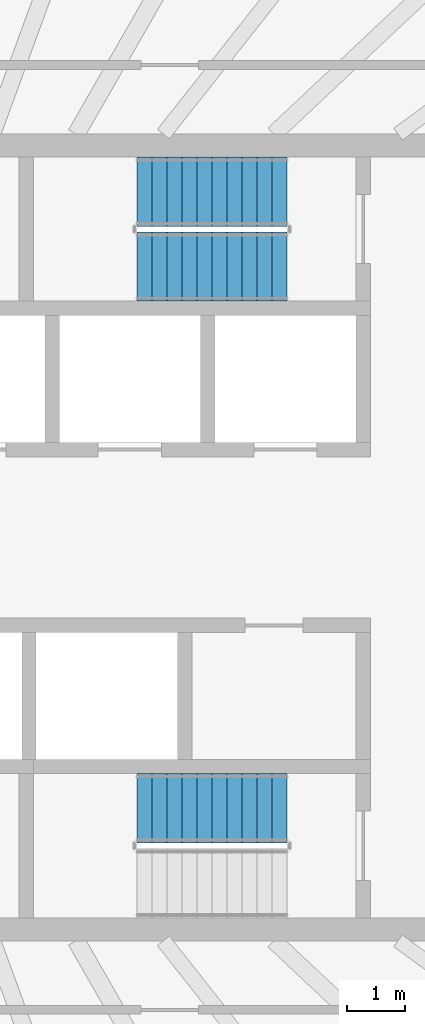
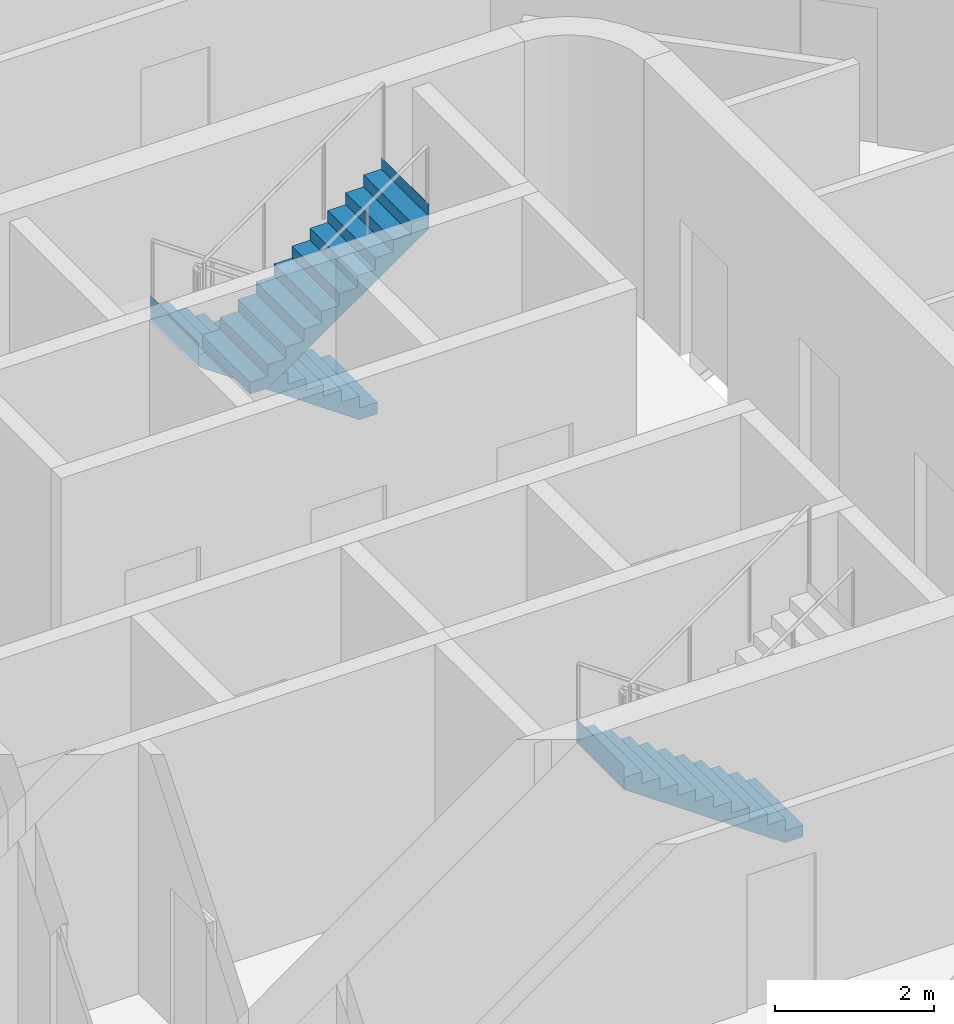
# One storey, part 15 of 21: 3 stair flights, 2 elements without a shape of their own.
"""IFC4 building model written with IfcOpenShell, lengths in metres."""

from ifc_helpers import new_model, si_unit, direction, frame, origin, place, context, subcontext, project, spatial, triangles, material, type_object, element, aggregate, save


model = new_model("IFC4")

# Units and contexts
model_context = context("Model", 3, precision=1e-05, world=origin(), true_north=direction((0.0, 1.0)))
body_context = subcontext(model_context, "Body", "Model", "MODEL_VIEW")
ifc_project = project(units=[si_unit("LENGTHUNIT", "METRE"), si_unit("AREAUNIT", "SQUARE_METRE"), si_unit("VOLUMEUNIT", "CUBIC_METRE"), si_unit("PLANEANGLEUNIT", "RADIAN"), si_unit("MASSUNIT", "GRAM", prefix="KILO")], contexts=[model_context])

# Site, building, storey
site_placement = place(None, origin())
site = spatial("IfcSite", under=ifc_project, at=site_placement, CompositionType="ELEMENT")
building_placement = place(site_placement, origin())
building = spatial("IfcBuilding", under=site, at=building_placement, Name="Sahrelin Media Tower", CompositionType="ELEMENT")
storey_placement = place(building_placement, frame((0.0, 0.0, 304.39990234375)))
storey = spatial("IfcBuildingStorey", under=building, at=storey_placement, Name="L67", CompositionType="ELEMENT", Elevation=304.39990234375)

# Stair, stair flights
ifc_material = material(Name="Concrete C40/50", Category="concrete")
stair_type = type_object("IfcStairType", Name="Exit stair 1200", PredefinedType="HALF_TURN_STAIR", material=ifc_material)
placement = place(storey_placement, origin())
stair_1 = element("IfcStair", 1, at=placement, inside=storey, type_object=stair_type, Name="L67 Exit stair ST3", PredefinedType="HALF_TURN_STAIR")
stair_flight_type = type_object("IfcStairFlightType", Name="Stair flight 1200", PredefinedType="STRAIGHT", material=ifc_material)
stair_flight_1_placement = place(storey_placement, frame((7.675048828125, 6.0, 0.0), z_axis=(0.0, 0.0, 1.0), x_axis=(-1.0, 0.0, 0.0)))
stair_flight_1 = element("IfcStairFlight", 2, at=stair_flight_1_placement, type_object=stair_flight_type, Name="ST3 flight 1", NumberOfRisers=11, NumberOfTreads=10, PredefinedType="STRAIGHT", RiserHeight=0.181818182, TreadLength=0.26, context=body_context, shape_type="Tessellation", body=[
    triangles([(0.261474609375, 0.60009765625, 0.0), (0.261474609375, 0.300048828125, 0.0), (0.261474609375, 0.0, 0.0), (0.261474609375, -0.300048828125, 0.0), (0.261474609375, -0.60009765625, 0.0), (2.60009765625, 0.60009765625, 1.63525390625), (2.60009765625, 0.300048828125, 1.63525390625), (2.60009765625, 0.0, 1.63525390625), (2.60009765625, -0.300048828125, 1.63525390625), (2.60009765625, -0.60009765625, 1.63525390625), (2.60009765625, 0.60009765625, 2.0), (2.60009765625, 0.300048828125, 2.0), (2.60009765625, 0.0, 2.0), (2.60009765625, -0.300048828125, 2.0), (2.60009765625, -0.60009765625, 2.0), (2.597900390625, 0.60009765625, 2.0), (2.597900390625, 0.300048828125, 2.0), (2.597900390625, 0.0, 2.0), (2.597900390625, -0.300048828125, 2.0), (2.597900390625, -0.60009765625, 2.0), (2.597900390625, 0.60009765625, 1.818115234375), (2.597900390625, 0.300048828125, 1.818115234375), (2.597900390625, 0.0, 1.818115234375), (2.597900390625, -0.300048828125, 1.818115234375), (2.597900390625, -0.60009765625, 1.818115234375), (2.340087890625, 0.60009765625, 1.818115234375), (2.340087890625, 0.300048828125, 1.818115234375), (2.340087890625, 0.0, 1.818115234375), (2.340087890625, -0.300048828125, 1.818115234375), (2.340087890625, -0.60009765625, 1.818115234375), (2.340087890625, 0.60009765625, 1.636474609375), (2.340087890625, 0.300048828125, 1.636474609375), (2.340087890625, 0.0, 1.636474609375), (2.340087890625, -0.300048828125, 1.636474609375), (2.340087890625, -0.60009765625, 1.636474609375), (2.080078125, 0.60009765625, 1.636474609375), (2.080078125, 0.300048828125, 1.636474609375), (2.080078125, 0.0, 1.636474609375), (2.080078125, -0.300048828125, 1.636474609375), (2.080078125, -0.60009765625, 1.636474609375), (2.080078125, 0.60009765625, 1.45458984375), (2.080078125, 0.300048828125, 1.45458984375), (2.080078125, 0.0, 1.45458984375), (2.080078125, -0.300048828125, 1.45458984375), (2.080078125, -0.60009765625, 1.45458984375), (1.820068359375, 0.60009765625, 1.45458984375), (1.820068359375, 0.300048828125, 1.45458984375), (1.820068359375, 0.0, 1.45458984375), (1.820068359375, -0.300048828125, 1.45458984375), (1.820068359375, -0.60009765625, 1.45458984375), (1.820068359375, 0.60009765625, 1.272705078125), (1.820068359375, 0.300048828125, 1.272705078125), (1.820068359375, 0.0, 1.272705078125), (1.820068359375, -0.300048828125, 1.272705078125), (1.820068359375, -0.60009765625, 1.272705078125), (1.56005859375, 0.60009765625, 1.272705078125), (1.56005859375, 0.300048828125, 1.272705078125), (1.56005859375, 0.0, 1.272705078125), (1.56005859375, -0.300048828125, 1.272705078125), (1.56005859375, -0.60009765625, 1.272705078125), (1.56005859375, 0.60009765625, 1.0908203125), (1.56005859375, 0.300048828125, 1.0908203125), (1.56005859375, 0.0, 1.0908203125), (1.56005859375, -0.300048828125, 1.0908203125), (1.56005859375, -0.60009765625, 1.0908203125), (1.300048828125, 0.60009765625, 1.0908203125), (1.300048828125, 0.300048828125, 1.0908203125), (1.300048828125, 0.0, 1.0908203125), (1.300048828125, -0.300048828125, 1.0908203125), (1.300048828125, -0.60009765625, 1.0908203125), (1.300048828125, 0.60009765625, 0.9091796875), (1.300048828125, 0.300048828125, 0.9091796875), (1.300048828125, 0.0, 0.9091796875), (1.300048828125, -0.300048828125, 0.9091796875), (1.300048828125, -0.60009765625, 0.9091796875), (1.0400390625, 0.60009765625, 0.9091796875), (1.0400390625, 0.300048828125, 0.9091796875), (1.0400390625, 0.0, 0.9091796875), (1.0400390625, -0.300048828125, 0.9091796875), (1.0400390625, -0.60009765625, 0.9091796875), (1.0400390625, 0.60009765625, 0.727294921875), (1.0400390625, 0.300048828125, 0.727294921875), (1.0400390625, 0.0, 0.727294921875), (1.0400390625, -0.300048828125, 0.727294921875), (1.0400390625, -0.60009765625, 0.727294921875), (0.780029296875, 0.60009765625, 0.727294921875), (0.780029296875, 0.300048828125, 0.727294921875), (0.780029296875, 0.0, 0.727294921875), (0.780029296875, -0.300048828125, 0.727294921875), (0.780029296875, -0.60009765625, 0.727294921875), (0.780029296875, 0.60009765625, 0.54541015625), (0.780029296875, 0.300048828125, 0.54541015625), (0.780029296875, 0.0, 0.54541015625), (0.780029296875, -0.300048828125, 0.54541015625), (0.780029296875, -0.60009765625, 0.54541015625), (0.52001953125, 0.60009765625, 0.54541015625), (0.52001953125, 0.300048828125, 0.54541015625), (0.52001953125, 0.0, 0.54541015625), (0.52001953125, -0.300048828125, 0.54541015625), (0.52001953125, -0.60009765625, 0.54541015625), (0.52001953125, 0.60009765625, 0.363525390625), (0.52001953125, 0.300048828125, 0.363525390625), (0.52001953125, 0.0, 0.363525390625), (0.52001953125, -0.300048828125, 0.363525390625), (0.52001953125, -0.60009765625, 0.363525390625), (0.260009765625, 0.60009765625, 0.363525390625), (0.260009765625, 0.300048828125, 0.363525390625), (0.260009765625, 0.0, 0.363525390625), (0.260009765625, -0.300048828125, 0.363525390625), (0.260009765625, -0.60009765625, 0.363525390625), (0.260009765625, 0.60009765625, 0.181884765625), (0.260009765625, 0.300048828125, 0.181884765625), (0.260009765625, 0.0, 0.181884765625), (0.260009765625, -0.300048828125, 0.181884765625), (0.260009765625, -0.60009765625, 0.181884765625), (0.0, 0.60009765625, 0.181884765625), (0.0, 0.300048828125, 0.181884765625), (0.0, 0.0, 0.181884765625), (0.0, -0.300048828125, 0.181884765625), (0.0, -0.60009765625, 0.181884765625), (0.0, 0.60009765625, 0.0), (0.0, 0.300048828125, 0.0), (0.0, 0.0, 0.0), (0.0, -0.300048828125, 0.0), (0.0, -0.60009765625, 0.0)], [[1, 6, 7], [1, 7, 2], [2, 7, 8], [2, 8, 3], [3, 8, 9], [3, 9, 4], [4, 9, 10], [4, 10, 5], [6, 11, 12], [6, 12, 7], [7, 12, 13], [7, 13, 8], [8, 13, 14], [8, 14, 9], [9, 14, 15], [9, 15, 10], [11, 16, 17], [11, 17, 12], [12, 17, 18], [12, 18, 13], [13, 18, 19], [13, 19, 14], [14, 19, 20], [14, 20, 15], [16, 21, 22], [16, 22, 17], [17, 22, 23], [17, 23, 18], [18, 23, 24], [18, 24, 19], [19, 24, 25], [19, 25, 20], [21, 26, 27], [21, 27, 22], [22, 27, 28], [22, 28, 23], [23, 28, 29], [23, 29, 24], [24, 29, 30], [24, 30, 25], [26, 31, 32], [26, 32, 27], [27, 32, 33], [27, 33, 28], [28, 33, 34], [28, 34, 29], [29, 34, 35], [29, 35, 30], [31, 36, 37], [31, 37, 32], [32, 37, 38], [32, 38, 33], [33, 38, 39], [33, 39, 34], [34, 39, 40], [34, 40, 35], [36, 41, 42], [36, 42, 37], [37, 42, 43], [37, 43, 38], [38, 43, 44], [38, 44, 39], [39, 44, 45], [39, 45, 40], [41, 46, 47], [41, 47, 42], [42, 47, 48], [42, 48, 43], [43, 48, 49], [43, 49, 44], [44, 49, 50], [44, 50, 45], [46, 51, 52], [46, 52, 47], [47, 52, 53], [47, 53, 48], [48, 53, 54], [48, 54, 49], [49, 54, 55], [49, 55, 50], [51, 56, 57], [51, 57, 52], [52, 57, 58], [52, 58, 53], [53, 58, 59], [53, 59, 54], [54, 59, 60], [54, 60, 55], [56, 61, 62], [56, 62, 57], [57, 62, 63], [57, 63, 58], [58, 63, 64], [58, 64, 59], [59, 64, 65], [59, 65, 60], [61, 66, 67], [61, 67, 62], [62, 67, 68], [62, 68, 63], [63, 68, 69], [63, 69, 64], [64, 69, 70], [64, 70, 65], [66, 71, 72], [66, 72, 67], [67, 72, 73], [67, 73, 68], [68, 73, 74], [68, 74, 69], [69, 74, 75], [69, 75, 70], [71, 76, 77], [71, 77, 72], [72, 77, 78], [72, 78, 73], [73, 78, 79], [73, 79, 74], [74, 79, 80], [74, 80, 75], [76, 81, 82], [76, 82, 77], [77, 82, 83], [77, 83, 78], [78, 83, 84], [78, 84, 79], [79, 84, 85], [79, 85, 80], [81, 86, 87], [81, 87, 82], [82, 87, 88], [82, 88, 83], [83, 88, 89], [83, 89, 84], [84, 89, 90], [84, 90, 85], [86, 91, 92], [86, 92, 87], [87, 92, 93], [87, 93, 88], [88, 93, 94], [88, 94, 89], [89, 94, 95], [89, 95, 90], [91, 96, 97], [91, 97, 92], [92, 97, 98], [92, 98, 93], [93, 98, 99], [93, 99, 94], [94, 99, 100], [94, 100, 95], [96, 101, 102], [96, 102, 97], [97, 102, 103], [97, 103, 98], [98, 103, 104], [98, 104, 99], [99, 104, 105], [99, 105, 100], [101, 106, 107], [101, 107, 102], [102, 107, 108], [102, 108, 103], [103, 108, 109], [103, 109, 104], [104, 109, 110], [104, 110, 105], [106, 111, 112], [106, 112, 107], [107, 112, 113], [107, 113, 108], [108, 113, 114], [108, 114, 109], [109, 114, 115], [109, 115, 110], [111, 116, 117], [111, 117, 112], [112, 117, 118], [112, 118, 113], [113, 118, 119], [113, 119, 114], [114, 119, 120], [114, 120, 115], [116, 121, 122], [116, 122, 117], [117, 122, 123], [117, 123, 118], [118, 123, 124], [118, 124, 119], [119, 124, 125], [119, 125, 120], [121, 1, 2], [121, 2, 122], [122, 2, 3], [122, 3, 123], [123, 3, 4], [123, 4, 124], [124, 4, 5], [124, 5, 125], [115, 120, 125], [111, 121, 116], [115, 105, 110], [111, 106, 101], [105, 95, 100], [101, 96, 91], [95, 85, 90], [91, 86, 81], [85, 75, 80], [81, 76, 71], [75, 65, 70], [71, 66, 61], [65, 55, 60], [61, 56, 51], [55, 45, 50], [51, 46, 41], [45, 35, 40], [41, 36, 31], [35, 25, 30], [31, 26, 21], [25, 15, 20], [21, 16, 11], [125, 5, 115], [121, 111, 1], [25, 10, 15], [21, 11, 6], [105, 115, 5], [101, 1, 111], [35, 10, 25], [31, 21, 6], [95, 105, 5], [91, 1, 101], [45, 10, 35], [41, 31, 6], [85, 95, 5], [81, 1, 91], [55, 10, 45], [51, 41, 6], [75, 85, 5], [71, 1, 81], [65, 10, 55], [61, 51, 6], [5, 10, 75], [1, 71, 6], [75, 10, 65], [71, 61, 6]], closed=True),
])
stair_flight_2_placement = place(storey_placement, frame((5.074951171875, 4.699951171875, 2.0), z_axis=(0.0, 0.0, 1.0), x_axis=(1.0, 0.0, 0.0)))
stair_flight_2 = element("IfcStairFlight", 3, at=stair_flight_2_placement, type_object=stair_flight_type, Name="ST3 flight 2", NumberOfRisers=11, NumberOfTreads=10, PredefinedType="STRAIGHT", RiserHeight=0.181818182, TreadLength=0.26, context=body_context, shape_type="Tessellation", body=[
    triangles([(0.261474609375, 0.60009765625, 0.0), (0.261474609375, 0.300048828125, 0.0), (0.261474609375, 0.0, 0.0), (0.261474609375, -0.300048828125, 0.0), (0.261474609375, -0.60009765625, 0.0), (2.60009765625, 0.60009765625, 1.63525390625), (2.60009765625, 0.300048828125, 1.63525390625), (2.60009765625, 0.0, 1.63525390625), (2.60009765625, -0.300048828125, 1.63525390625), (2.60009765625, -0.60009765625, 1.63525390625), (2.60009765625, 0.60009765625, 2.0), (2.60009765625, 0.300048828125, 2.0), (2.60009765625, 0.0, 2.0), (2.60009765625, -0.300048828125, 2.0), (2.60009765625, -0.60009765625, 2.0), (2.597900390625, 0.60009765625, 2.0), (2.597900390625, 0.300048828125, 2.0), (2.597900390625, 0.0, 2.0), (2.597900390625, -0.300048828125, 2.0), (2.597900390625, -0.60009765625, 2.0), (2.597900390625, 0.60009765625, 1.818115234375), (2.597900390625, 0.300048828125, 1.818115234375), (2.597900390625, 0.0, 1.818115234375), (2.597900390625, -0.300048828125, 1.818115234375), (2.597900390625, -0.60009765625, 1.818115234375), (2.340087890625, 0.60009765625, 1.818115234375), (2.340087890625, 0.300048828125, 1.818115234375), (2.340087890625, 0.0, 1.818115234375), (2.340087890625, -0.300048828125, 1.818115234375), (2.340087890625, -0.60009765625, 1.818115234375), (2.340087890625, 0.60009765625, 1.636474609375), (2.340087890625, 0.300048828125, 1.636474609375), (2.340087890625, 0.0, 1.636474609375), (2.340087890625, -0.300048828125, 1.636474609375), (2.340087890625, -0.60009765625, 1.636474609375), (2.080078125, 0.60009765625, 1.636474609375), (2.080078125, 0.300048828125, 1.636474609375), (2.080078125, 0.0, 1.636474609375), (2.080078125, -0.300048828125, 1.636474609375), (2.080078125, -0.60009765625, 1.636474609375), (2.080078125, 0.60009765625, 1.45458984375), (2.080078125, 0.300048828125, 1.45458984375), (2.080078125, 0.0, 1.45458984375), (2.080078125, -0.300048828125, 1.45458984375), (2.080078125, -0.60009765625, 1.45458984375), (1.820068359375, 0.60009765625, 1.45458984375), (1.820068359375, 0.300048828125, 1.45458984375), (1.820068359375, 0.0, 1.45458984375), (1.820068359375, -0.300048828125, 1.45458984375), (1.820068359375, -0.60009765625, 1.45458984375), (1.820068359375, 0.60009765625, 1.272705078125), (1.820068359375, 0.300048828125, 1.272705078125), (1.820068359375, 0.0, 1.272705078125), (1.820068359375, -0.300048828125, 1.272705078125), (1.820068359375, -0.60009765625, 1.272705078125), (1.56005859375, 0.60009765625, 1.272705078125), (1.56005859375, 0.300048828125, 1.272705078125), (1.56005859375, 0.0, 1.272705078125), (1.56005859375, -0.300048828125, 1.272705078125), (1.56005859375, -0.60009765625, 1.272705078125), (1.56005859375, 0.60009765625, 1.0908203125), (1.56005859375, 0.300048828125, 1.0908203125), (1.56005859375, 0.0, 1.0908203125), (1.56005859375, -0.300048828125, 1.0908203125), (1.56005859375, -0.60009765625, 1.0908203125), (1.300048828125, 0.60009765625, 1.0908203125), (1.300048828125, 0.300048828125, 1.0908203125), (1.300048828125, 0.0, 1.0908203125), (1.300048828125, -0.300048828125, 1.0908203125), (1.300048828125, -0.60009765625, 1.0908203125), (1.300048828125, 0.60009765625, 0.9091796875), (1.300048828125, 0.300048828125, 0.9091796875), (1.300048828125, 0.0, 0.9091796875), (1.300048828125, -0.300048828125, 0.9091796875), (1.300048828125, -0.60009765625, 0.9091796875), (1.0400390625, 0.60009765625, 0.9091796875), (1.0400390625, 0.300048828125, 0.9091796875), (1.0400390625, 0.0, 0.9091796875), (1.0400390625, -0.300048828125, 0.9091796875), (1.0400390625, -0.60009765625, 0.9091796875), (1.0400390625, 0.60009765625, 0.727294921875), (1.0400390625, 0.300048828125, 0.727294921875), (1.0400390625, 0.0, 0.727294921875), (1.0400390625, -0.300048828125, 0.727294921875), (1.0400390625, -0.60009765625, 0.727294921875), (0.780029296875, 0.60009765625, 0.727294921875), (0.780029296875, 0.300048828125, 0.727294921875), (0.780029296875, 0.0, 0.727294921875), (0.780029296875, -0.300048828125, 0.727294921875), (0.780029296875, -0.60009765625, 0.727294921875), (0.780029296875, 0.60009765625, 0.54541015625), (0.780029296875, 0.300048828125, 0.54541015625), (0.780029296875, 0.0, 0.54541015625), (0.780029296875, -0.300048828125, 0.54541015625), (0.780029296875, -0.60009765625, 0.54541015625), (0.52001953125, 0.60009765625, 0.54541015625), (0.52001953125, 0.300048828125, 0.54541015625), (0.52001953125, 0.0, 0.54541015625), (0.52001953125, -0.300048828125, 0.54541015625), (0.52001953125, -0.60009765625, 0.54541015625), (0.52001953125, 0.60009765625, 0.363525390625), (0.52001953125, 0.300048828125, 0.363525390625), (0.52001953125, 0.0, 0.363525390625), (0.52001953125, -0.300048828125, 0.363525390625), (0.52001953125, -0.60009765625, 0.363525390625), (0.260009765625, 0.60009765625, 0.363525390625), (0.260009765625, 0.300048828125, 0.363525390625), (0.260009765625, 0.0, 0.363525390625), (0.260009765625, -0.300048828125, 0.363525390625), (0.260009765625, -0.60009765625, 0.363525390625), (0.260009765625, 0.60009765625, 0.181884765625), (0.260009765625, 0.300048828125, 0.181884765625), (0.260009765625, 0.0, 0.181884765625), (0.260009765625, -0.300048828125, 0.181884765625), (0.260009765625, -0.60009765625, 0.181884765625), (0.0, 0.60009765625, 0.181884765625), (0.0, 0.300048828125, 0.181884765625), (0.0, 0.0, 0.181884765625), (0.0, -0.300048828125, 0.181884765625), (0.0, -0.60009765625, 0.181884765625), (0.0, 0.60009765625, 0.0), (0.0, 0.300048828125, 0.0), (0.0, 0.0, 0.0), (0.0, -0.300048828125, 0.0), (0.0, -0.60009765625, 0.0)], [[1, 6, 7], [1, 7, 2], [2, 7, 8], [2, 8, 3], [3, 8, 9], [3, 9, 4], [4, 9, 10], [4, 10, 5], [6, 11, 12], [6, 12, 7], [7, 12, 13], [7, 13, 8], [8, 13, 14], [8, 14, 9], [9, 14, 15], [9, 15, 10], [11, 16, 17], [11, 17, 12], [12, 17, 18], [12, 18, 13], [13, 18, 19], [13, 19, 14], [14, 19, 20], [14, 20, 15], [16, 21, 22], [16, 22, 17], [17, 22, 23], [17, 23, 18], [18, 23, 24], [18, 24, 19], [19, 24, 25], [19, 25, 20], [21, 26, 27], [21, 27, 22], [22, 27, 28], [22, 28, 23], [23, 28, 29], [23, 29, 24], [24, 29, 30], [24, 30, 25], [26, 31, 32], [26, 32, 27], [27, 32, 33], [27, 33, 28], [28, 33, 34], [28, 34, 29], [29, 34, 35], [29, 35, 30], [31, 36, 37], [31, 37, 32], [32, 37, 38], [32, 38, 33], [33, 38, 39], [33, 39, 34], [34, 39, 40], [34, 40, 35], [36, 41, 42], [36, 42, 37], [37, 42, 43], [37, 43, 38], [38, 43, 44], [38, 44, 39], [39, 44, 45], [39, 45, 40], [41, 46, 47], [41, 47, 42], [42, 47, 48], [42, 48, 43], [43, 48, 49], [43, 49, 44], [44, 49, 50], [44, 50, 45], [46, 51, 52], [46, 52, 47], [47, 52, 53], [47, 53, 48], [48, 53, 54], [48, 54, 49], [49, 54, 55], [49, 55, 50], [51, 56, 57], [51, 57, 52], [52, 57, 58], [52, 58, 53], [53, 58, 59], [53, 59, 54], [54, 59, 60], [54, 60, 55], [56, 61, 62], [56, 62, 57], [57, 62, 63], [57, 63, 58], [58, 63, 64], [58, 64, 59], [59, 64, 65], [59, 65, 60], [61, 66, 67], [61, 67, 62], [62, 67, 68], [62, 68, 63], [63, 68, 69], [63, 69, 64], [64, 69, 70], [64, 70, 65], [66, 71, 72], [66, 72, 67], [67, 72, 73], [67, 73, 68], [68, 73, 74], [68, 74, 69], [69, 74, 75], [69, 75, 70], [71, 76, 77], [71, 77, 72], [72, 77, 78], [72, 78, 73], [73, 78, 79], [73, 79, 74], [74, 79, 80], [74, 80, 75], [76, 81, 82], [76, 82, 77], [77, 82, 83], [77, 83, 78], [78, 83, 84], [78, 84, 79], [79, 84, 85], [79, 85, 80], [81, 86, 87], [81, 87, 82], [82, 87, 88], [82, 88, 83], [83, 88, 89], [83, 89, 84], [84, 89, 90], [84, 90, 85], [86, 91, 92], [86, 92, 87], [87, 92, 93], [87, 93, 88], [88, 93, 94], [88, 94, 89], [89, 94, 95], [89, 95, 90], [91, 96, 97], [91, 97, 92], [92, 97, 98], [92, 98, 93], [93, 98, 99], [93, 99, 94], [94, 99, 100], [94, 100, 95], [96, 101, 102], [96, 102, 97], [97, 102, 103], [97, 103, 98], [98, 103, 104], [98, 104, 99], [99, 104, 105], [99, 105, 100], [101, 106, 107], [101, 107, 102], [102, 107, 108], [102, 108, 103], [103, 108, 109], [103, 109, 104], [104, 109, 110], [104, 110, 105], [106, 111, 112], [106, 112, 107], [107, 112, 113], [107, 113, 108], [108, 113, 114], [108, 114, 109], [109, 114, 115], [109, 115, 110], [111, 116, 117], [111, 117, 112], [112, 117, 118], [112, 118, 113], [113, 118, 119], [113, 119, 114], [114, 119, 120], [114, 120, 115], [116, 121, 122], [116, 122, 117], [117, 122, 123], [117, 123, 118], [118, 123, 124], [118, 124, 119], [119, 124, 125], [119, 125, 120], [121, 1, 2], [121, 2, 122], [122, 2, 3], [122, 3, 123], [123, 3, 4], [123, 4, 124], [124, 4, 5], [124, 5, 125], [115, 120, 125], [111, 121, 116], [115, 105, 110], [111, 106, 101], [105, 95, 100], [101, 96, 91], [95, 85, 90], [91, 86, 81], [85, 75, 80], [81, 76, 71], [75, 65, 70], [71, 66, 61], [65, 55, 60], [61, 56, 51], [55, 45, 50], [51, 46, 41], [45, 35, 40], [41, 36, 31], [35, 25, 30], [31, 26, 21], [25, 15, 20], [21, 16, 11], [125, 5, 115], [121, 111, 1], [25, 10, 15], [21, 11, 6], [105, 115, 5], [101, 1, 111], [35, 10, 25], [31, 21, 6], [95, 105, 5], [91, 1, 101], [45, 10, 35], [41, 31, 6], [85, 95, 5], [81, 1, 91], [55, 10, 45], [51, 41, 6], [75, 85, 5], [71, 1, 81], [65, 10, 55], [61, 51, 6], [5, 10, 75], [1, 71, 6], [75, 10, 65], [71, 61, 6]], closed=True),
])
aggregate(stair_1, [stair_flight_1, stair_flight_2])

# Stair, stair flight
stair_2 = element("IfcStair", 4, at=placement, inside=storey, type_object=stair_type, Name="L67 Exit stair ST2", PredefinedType="HALF_TURN_STAIR")
stair_flight_3_placement = place(storey_placement, frame((7.675048828125, -4.699951171875, 0.0), z_axis=(0.0, 0.0, 1.0), x_axis=(-1.0, 0.0, 0.0)))
stair_flight_3 = element("IfcStairFlight", 5, at=stair_flight_3_placement, type_object=stair_flight_type, Name="ST2 flight 1", NumberOfRisers=11, NumberOfTreads=10, PredefinedType="STRAIGHT", RiserHeight=0.181818182, TreadLength=0.26, context=body_context, shape_type="Tessellation", body=[
    triangles([(0.261474609375, 0.60009765625, 0.0), (0.261474609375, 0.300048828125, 0.0), (0.261474609375, 0.0, 0.0), (0.261474609375, -0.300048828125, 0.0), (0.261474609375, -0.60009765625, 0.0), (2.60009765625, 0.60009765625, 1.63525390625), (2.60009765625, 0.300048828125, 1.63525390625), (2.60009765625, 0.0, 1.63525390625), (2.60009765625, -0.300048828125, 1.63525390625), (2.60009765625, -0.60009765625, 1.63525390625), (2.60009765625, 0.60009765625, 2.0), (2.60009765625, 0.300048828125, 2.0), (2.60009765625, 0.0, 2.0), (2.60009765625, -0.300048828125, 2.0), (2.60009765625, -0.60009765625, 2.0), (2.597900390625, 0.60009765625, 2.0), (2.597900390625, 0.300048828125, 2.0), (2.597900390625, 0.0, 2.0), (2.597900390625, -0.300048828125, 2.0), (2.597900390625, -0.60009765625, 2.0), (2.597900390625, 0.60009765625, 1.818115234375), (2.597900390625, 0.300048828125, 1.818115234375), (2.597900390625, 0.0, 1.818115234375), (2.597900390625, -0.300048828125, 1.818115234375), (2.597900390625, -0.60009765625, 1.818115234375), (2.340087890625, 0.60009765625, 1.818115234375), (2.340087890625, 0.300048828125, 1.818115234375), (2.340087890625, 0.0, 1.818115234375), (2.340087890625, -0.300048828125, 1.818115234375), (2.340087890625, -0.60009765625, 1.818115234375), (2.340087890625, 0.60009765625, 1.636474609375), (2.340087890625, 0.300048828125, 1.636474609375), (2.340087890625, 0.0, 1.636474609375), (2.340087890625, -0.300048828125, 1.636474609375), (2.340087890625, -0.60009765625, 1.636474609375), (2.080078125, 0.60009765625, 1.636474609375), (2.080078125, 0.300048828125, 1.636474609375), (2.080078125, 0.0, 1.636474609375), (2.080078125, -0.300048828125, 1.636474609375), (2.080078125, -0.60009765625, 1.636474609375), (2.080078125, 0.60009765625, 1.45458984375), (2.080078125, 0.300048828125, 1.45458984375), (2.080078125, 0.0, 1.45458984375), (2.080078125, -0.300048828125, 1.45458984375), (2.080078125, -0.60009765625, 1.45458984375), (1.820068359375, 0.60009765625, 1.45458984375), (1.820068359375, 0.300048828125, 1.45458984375), (1.820068359375, 0.0, 1.45458984375), (1.820068359375, -0.300048828125, 1.45458984375), (1.820068359375, -0.60009765625, 1.45458984375), (1.820068359375, 0.60009765625, 1.272705078125), (1.820068359375, 0.300048828125, 1.272705078125), (1.820068359375, 0.0, 1.272705078125), (1.820068359375, -0.300048828125, 1.272705078125), (1.820068359375, -0.60009765625, 1.272705078125), (1.56005859375, 0.60009765625, 1.272705078125), (1.56005859375, 0.300048828125, 1.272705078125), (1.56005859375, 0.0, 1.272705078125), (1.56005859375, -0.300048828125, 1.272705078125), (1.56005859375, -0.60009765625, 1.272705078125), (1.56005859375, 0.60009765625, 1.0908203125), (1.56005859375, 0.300048828125, 1.0908203125), (1.56005859375, 0.0, 1.0908203125), (1.56005859375, -0.300048828125, 1.0908203125), (1.56005859375, -0.60009765625, 1.0908203125), (1.300048828125, 0.60009765625, 1.0908203125), (1.300048828125, 0.300048828125, 1.0908203125), (1.300048828125, 0.0, 1.0908203125), (1.300048828125, -0.300048828125, 1.0908203125), (1.300048828125, -0.60009765625, 1.0908203125), (1.300048828125, 0.60009765625, 0.9091796875), (1.300048828125, 0.300048828125, 0.9091796875), (1.300048828125, 0.0, 0.9091796875), (1.300048828125, -0.300048828125, 0.9091796875), (1.300048828125, -0.60009765625, 0.9091796875), (1.0400390625, 0.60009765625, 0.9091796875), (1.0400390625, 0.300048828125, 0.9091796875), (1.0400390625, 0.0, 0.9091796875), (1.0400390625, -0.300048828125, 0.9091796875), (1.0400390625, -0.60009765625, 0.9091796875), (1.0400390625, 0.60009765625, 0.727294921875), (1.0400390625, 0.300048828125, 0.727294921875), (1.0400390625, 0.0, 0.727294921875), (1.0400390625, -0.300048828125, 0.727294921875), (1.0400390625, -0.60009765625, 0.727294921875), (0.780029296875, 0.60009765625, 0.727294921875), (0.780029296875, 0.300048828125, 0.727294921875), (0.780029296875, 0.0, 0.727294921875), (0.780029296875, -0.300048828125, 0.727294921875), (0.780029296875, -0.60009765625, 0.727294921875), (0.780029296875, 0.60009765625, 0.54541015625), (0.780029296875, 0.300048828125, 0.54541015625), (0.780029296875, 0.0, 0.54541015625), (0.780029296875, -0.300048828125, 0.54541015625), (0.780029296875, -0.60009765625, 0.54541015625), (0.52001953125, 0.60009765625, 0.54541015625), (0.52001953125, 0.300048828125, 0.54541015625), (0.52001953125, 0.0, 0.54541015625), (0.52001953125, -0.300048828125, 0.54541015625), (0.52001953125, -0.60009765625, 0.54541015625), (0.52001953125, 0.60009765625, 0.363525390625), (0.52001953125, 0.300048828125, 0.363525390625), (0.52001953125, 0.0, 0.363525390625), (0.52001953125, -0.300048828125, 0.363525390625), (0.52001953125, -0.60009765625, 0.363525390625), (0.260009765625, 0.60009765625, 0.363525390625), (0.260009765625, 0.300048828125, 0.363525390625), (0.260009765625, 0.0, 0.363525390625), (0.260009765625, -0.300048828125, 0.363525390625), (0.260009765625, -0.60009765625, 0.363525390625), (0.260009765625, 0.60009765625, 0.181884765625), (0.260009765625, 0.300048828125, 0.181884765625), (0.260009765625, 0.0, 0.181884765625), (0.260009765625, -0.300048828125, 0.181884765625), (0.260009765625, -0.60009765625, 0.181884765625), (0.0, 0.60009765625, 0.181884765625), (0.0, 0.300048828125, 0.181884765625), (0.0, 0.0, 0.181884765625), (0.0, -0.300048828125, 0.181884765625), (0.0, -0.60009765625, 0.181884765625), (0.0, 0.60009765625, 0.0), (0.0, 0.300048828125, 0.0), (0.0, 0.0, 0.0), (0.0, -0.300048828125, 0.0), (0.0, -0.60009765625, 0.0)], [[1, 6, 7], [1, 7, 2], [2, 7, 8], [2, 8, 3], [3, 8, 9], [3, 9, 4], [4, 9, 10], [4, 10, 5], [6, 11, 12], [6, 12, 7], [7, 12, 13], [7, 13, 8], [8, 13, 14], [8, 14, 9], [9, 14, 15], [9, 15, 10], [11, 16, 17], [11, 17, 12], [12, 17, 18], [12, 18, 13], [13, 18, 19], [13, 19, 14], [14, 19, 20], [14, 20, 15], [16, 21, 22], [16, 22, 17], [17, 22, 23], [17, 23, 18], [18, 23, 24], [18, 24, 19], [19, 24, 25], [19, 25, 20], [21, 26, 27], [21, 27, 22], [22, 27, 28], [22, 28, 23], [23, 28, 29], [23, 29, 24], [24, 29, 30], [24, 30, 25], [26, 31, 32], [26, 32, 27], [27, 32, 33], [27, 33, 28], [28, 33, 34], [28, 34, 29], [29, 34, 35], [29, 35, 30], [31, 36, 37], [31, 37, 32], [32, 37, 38], [32, 38, 33], [33, 38, 39], [33, 39, 34], [34, 39, 40], [34, 40, 35], [36, 41, 42], [36, 42, 37], [37, 42, 43], [37, 43, 38], [38, 43, 44], [38, 44, 39], [39, 44, 45], [39, 45, 40], [41, 46, 47], [41, 47, 42], [42, 47, 48], [42, 48, 43], [43, 48, 49], [43, 49, 44], [44, 49, 50], [44, 50, 45], [46, 51, 52], [46, 52, 47], [47, 52, 53], [47, 53, 48], [48, 53, 54], [48, 54, 49], [49, 54, 55], [49, 55, 50], [51, 56, 57], [51, 57, 52], [52, 57, 58], [52, 58, 53], [53, 58, 59], [53, 59, 54], [54, 59, 60], [54, 60, 55], [56, 61, 62], [56, 62, 57], [57, 62, 63], [57, 63, 58], [58, 63, 64], [58, 64, 59], [59, 64, 65], [59, 65, 60], [61, 66, 67], [61, 67, 62], [62, 67, 68], [62, 68, 63], [63, 68, 69], [63, 69, 64], [64, 69, 70], [64, 70, 65], [66, 71, 72], [66, 72, 67], [67, 72, 73], [67, 73, 68], [68, 73, 74], [68, 74, 69], [69, 74, 75], [69, 75, 70], [71, 76, 77], [71, 77, 72], [72, 77, 78], [72, 78, 73], [73, 78, 79], [73, 79, 74], [74, 79, 80], [74, 80, 75], [76, 81, 82], [76, 82, 77], [77, 82, 83], [77, 83, 78], [78, 83, 84], [78, 84, 79], [79, 84, 85], [79, 85, 80], [81, 86, 87], [81, 87, 82], [82, 87, 88], [82, 88, 83], [83, 88, 89], [83, 89, 84], [84, 89, 90], [84, 90, 85], [86, 91, 92], [86, 92, 87], [87, 92, 93], [87, 93, 88], [88, 93, 94], [88, 94, 89], [89, 94, 95], [89, 95, 90], [91, 96, 97], [91, 97, 92], [92, 97, 98], [92, 98, 93], [93, 98, 99], [93, 99, 94], [94, 99, 100], [94, 100, 95], [96, 101, 102], [96, 102, 97], [97, 102, 103], [97, 103, 98], [98, 103, 104], [98, 104, 99], [99, 104, 105], [99, 105, 100], [101, 106, 107], [101, 107, 102], [102, 107, 108], [102, 108, 103], [103, 108, 109], [103, 109, 104], [104, 109, 110], [104, 110, 105], [106, 111, 112], [106, 112, 107], [107, 112, 113], [107, 113, 108], [108, 113, 114], [108, 114, 109], [109, 114, 115], [109, 115, 110], [111, 116, 117], [111, 117, 112], [112, 117, 118], [112, 118, 113], [113, 118, 119], [113, 119, 114], [114, 119, 120], [114, 120, 115], [116, 121, 122], [116, 122, 117], [117, 122, 123], [117, 123, 118], [118, 123, 124], [118, 124, 119], [119, 124, 125], [119, 125, 120], [121, 1, 2], [121, 2, 122], [122, 2, 3], [122, 3, 123], [123, 3, 4], [123, 4, 124], [124, 4, 5], [124, 5, 125], [115, 120, 125], [111, 121, 116], [115, 105, 110], [111, 106, 101], [105, 95, 100], [101, 96, 91], [95, 85, 90], [91, 86, 81], [85, 75, 80], [81, 76, 71], [75, 65, 70], [71, 66, 61], [65, 55, 60], [61, 56, 51], [55, 45, 50], [51, 46, 41], [45, 35, 40], [41, 36, 31], [35, 25, 30], [31, 26, 21], [25, 15, 20], [21, 16, 11], [125, 5, 115], [121, 111, 1], [25, 10, 15], [21, 11, 6], [105, 115, 5], [101, 1, 111], [35, 10, 25], [31, 21, 6], [95, 105, 5], [91, 1, 101], [45, 10, 35], [41, 31, 6], [85, 95, 5], [81, 1, 91], [55, 10, 45], [51, 41, 6], [75, 85, 5], [71, 1, 81], [65, 10, 55], [61, 51, 6], [5, 10, 75], [1, 71, 6], [75, 10, 65], [71, 61, 6]], closed=True),
])
aggregate(stair_2, [stair_flight_3])

save(model, "model.ifc")
